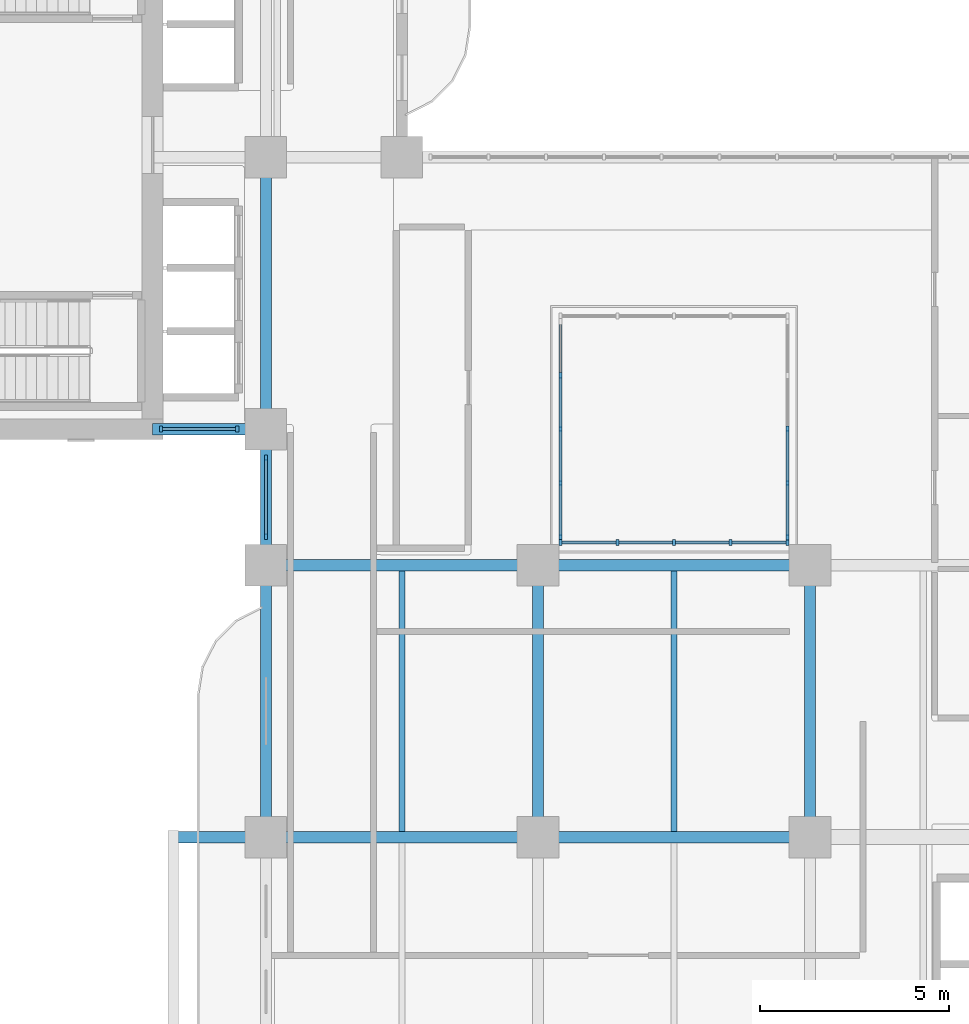
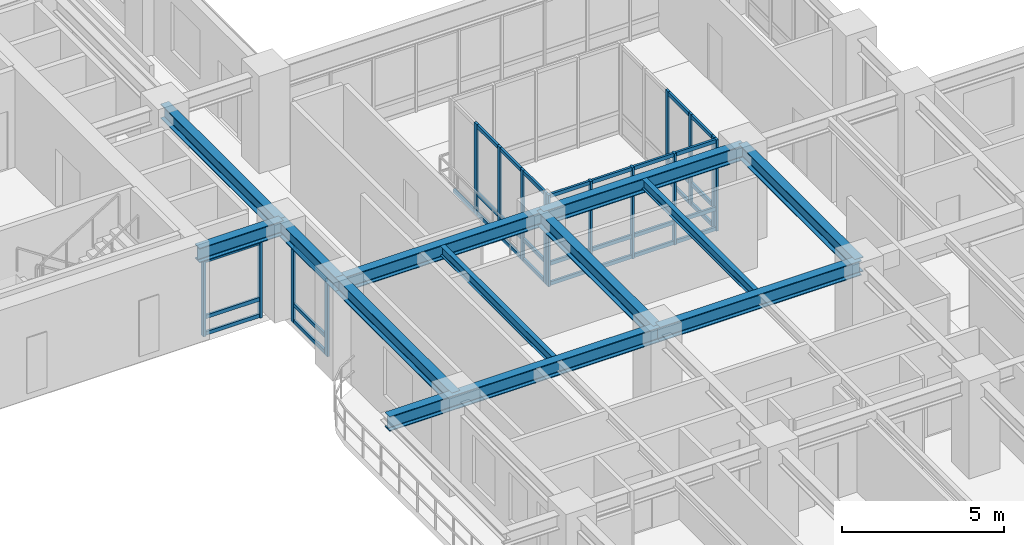
# One storey, part 2 of 22: 50 members, 12 beams, 5 elements without a shape of their own.
"""IFC4 building model written with IfcOpenShell, lengths in metres."""

from ifc_helpers import new_model, si_unit, derived_unit, direction, frame, origin, origin_2d, place, context, subcontext, project, spatial, rectangle, i_section, extrude, source, transform, mapped, material, layer, layer_set, material_profile, profile_set, type_object, type_shapes, element, aggregate, save


model = new_model("IFC4")

# Units and contexts
model_context = context("Model", 3, precision=1e-05, world=origin(), true_north=direction((0.0, 1.0)))
body_context = subcontext(model_context, "Body", "Model", "MODEL_VIEW")
ifc_project = project(units=[si_unit("LENGTHUNIT", "METRE"), si_unit("AREAUNIT", "SQUARE_METRE"), si_unit("VOLUMEUNIT", "CUBIC_METRE"), si_unit("PLANEANGLEUNIT", "RADIAN"), si_unit("MASSUNIT", "GRAM", prefix="KILO"), si_unit("THERMODYNAMICTEMPERATUREUNIT", "KELVIN"), si_unit("POWERUNIT", "WATT"), derived_unit("THERMALTRANSMITTANCEUNIT", [(si_unit("POWERUNIT", "WATT"), 1), (si_unit("AREAUNIT", "SQUARE_METRE"), -1), (si_unit("THERMODYNAMICTEMPERATUREUNIT", "KELVIN"), -1)])], contexts=[model_context])

# Site, building, storey
site_placement = place(None, origin())
site = spatial("IfcSite", under=ifc_project, at=site_placement, CompositionType="ELEMENT")
building_placement = place(site_placement, origin())
building = spatial("IfcBuilding", under=site, at=building_placement, Name="Zahravan Archway Hotel and Residences", CompositionType="ELEMENT")
storey_placement = place(building_placement, frame((0.0, 0.0, 80.5)))
storey = spatial("IfcBuildingStorey", under=building, at=storey_placement, Name="L19", CompositionType="ELEMENT", Elevation=80.5)

# Beams
ifc_material_1 = material(Name="Structural Steel S355JR", Category="steel")
ifc_material_profile_1 = material_profile(ifc_material_1, i_section(OverallWidth=0.300048828125, OverallDepth=0.550048828125, WebThickness=0.014892578125, FlangeThickness=0.029052734375, FilletRadius=0.027099609375, at=origin_2d()), Name="HEB 550", Category="steel")
ifc_profile_set_1 = profile_set([ifc_material_profile_1], Name="Structural Steel S355JR")
beam_type_1 = type_object("IfcBeamType", Name="BM-PRI-HEB550", PredefinedType="BEAM", material=ifc_profile_set_1)
shared_shape_1 = source(origin(), body_context, "Body", "SweptSolid", [
    extrude(i_section(OverallWidth=0.300048828125, OverallDepth=0.550048828125, WebThickness=0.014892578125, FlangeThickness=0.029052734375, FilletRadius=0.027099609375, at=origin_2d()), origin(), (0.0, 0.0, 1.0), 7.2001953125),
])
type_shapes(beam_type_1, [shared_shape_1])
for number, where, z_axis, x_axis, name in (
    (1, (14.39990234375, 21.60009765625, 3.175048828125), (1.0, 0.0, 0.0), (0.0, 1.0, 0.0), "L19 Primary Girder EW-14"),
    (2, (14.39990234375, 14.39990234375, 3.175048828125), (0.0, 1.0, 0.0), (-1.0, 0.0, 0.0), "L19 Primary Girder NS-34"),
    (3, (21.60009765625, 14.39990234375, 3.175048828125), (0.0, 1.0, 0.0), (-1.0, 0.0, 0.0), "L19 Primary Girder NS-41"),
    (4, (28.800048828125, 14.39990234375, 3.175048828125), (0.0, 1.0, 0.0), (-1.0, 0.0, 0.0), "L19 Primary Girder NS-44"),
):
    element("IfcBeam", number, at=place(storey_placement, frame(where, z_axis=z_axis, x_axis=x_axis)), inside=storey, type_object=beam_type_1, Name=name, PredefinedType="BEAM", context=body_context, shape_type="MappedRepresentation", body=[
        mapped(shared_shape_1, transform((0.0, 0.0, 0.0), scale=1.0)),
    ])
shared_shape_2 = source(origin(), body_context, "Body", "SweptSolid", [
    extrude(i_section(OverallWidth=0.300048828125, OverallDepth=0.550048828125, WebThickness=0.014892578125, FlangeThickness=0.029052734375, FilletRadius=0.027099609375, at=origin_2d()), origin(), (0.0, 0.0, 1.0), 7.199951171875),
])
for number, where, z_axis, x_axis, name in (
    (5, (21.60009765625, 14.39990234375, 3.175048828125), (1.0, 0.0, 0.0), (0.0, 1.0, 0.0), "L19 Primary Girder EW-12"),
    (6, (21.60009765625, 21.60009765625, 3.175048828125), (1.0, 0.0, 0.0), (0.0, 1.0, 0.0), "L19 Primary Girder EW-15"),
    (7, (14.39990234375, 25.199951171875, 3.175048828125), (0.0, 1.0, 0.0), (-1.0, 0.0, 0.0), "L19 Primary Girder NS-36"),
):
    element("IfcBeam", number, at=place(storey_placement, frame(where, z_axis=z_axis, x_axis=x_axis)), inside=storey, type_object=beam_type_1, Name=name, PredefinedType="BEAM", context=body_context, shape_type="MappedRepresentation", body=[
        mapped(shared_shape_2, transform((0.0, 0.0, 0.0), scale=1.0)),
    ])
shared_shape_3 = source(origin(), body_context, "Body", "SweptSolid", [
    extrude(i_section(OverallWidth=0.300048828125, OverallDepth=0.550048828125, WebThickness=0.014892578125, FlangeThickness=0.029052734375, FilletRadius=0.027099609375, at=origin_2d()), origin(), (0.0, 0.0, 1.0), 3.0),
])
beam_1_placement = place(storey_placement, frame((11.39990234375, 25.199951171875, 3.175048828125), z_axis=(1.0, 0.0, 0.0), x_axis=(0.0, 1.0, 0.0)))
element("IfcBeam", 8, at=beam_1_placement, inside=storey, type_object=beam_type_1, Name="L19 Primary Girder EW-20", PredefinedType="BEAM", context=body_context, shape_type="MappedRepresentation", body=[
    mapped(shared_shape_3, transform((0.0, 0.0, 0.0), scale=1.0)),
])
shared_shape_4 = source(origin(), body_context, "Body", "SweptSolid", [
    extrude(i_section(OverallWidth=0.300048828125, OverallDepth=0.550048828125, WebThickness=0.014892578125, FlangeThickness=0.029052734375, FilletRadius=0.027099609375, at=origin_2d()), origin(), (0.0, 0.0, 1.0), 3.599853515625),
])
beam_2_placement = place(storey_placement, frame((14.39990234375, 21.60009765625, 3.175048828125), z_axis=(0.0, 1.0, 0.0), x_axis=(-1.0, 0.0, 0.0)))
element("IfcBeam", 9, at=beam_2_placement, inside=storey, type_object=beam_type_1, Name="L19 Primary Girder NS-35", PredefinedType="BEAM", context=body_context, shape_type="MappedRepresentation", body=[
    mapped(shared_shape_4, transform((0.0, 0.0, 0.0), scale=1.0)),
])
shared_shape_5 = source(origin(), body_context, "Body", "SweptSolid", [
    extrude(i_section(OverallWidth=0.300048828125, OverallDepth=0.550048828125, WebThickness=0.014892578125, FlangeThickness=0.029052734375, FilletRadius=0.027099609375, at=origin_2d()), origin(), (0.0, 0.0, 1.0), 9.650146484375),
])
beam_3_placement = place(storey_placement, frame((11.949951171875, 14.39990234375, 3.175048828125), z_axis=(1.0, 0.0, 0.0), x_axis=(0.0, 1.0, 0.0)))
element("IfcBeam", 10, at=beam_3_placement, inside=storey, type_object=beam_type_1, Name="L19 Primary Girder EW-11", PredefinedType="BEAM", context=body_context, shape_type="MappedRepresentation", body=[
    mapped(shared_shape_5, transform((0.0, 0.0, 0.0), scale=1.0)),
])
ifc_material_profile_2 = material_profile(ifc_material_1, i_section(OverallWidth=0.169921875, OverallDepth=0.360107421875, WebThickness=0.008056640625, FlangeThickness=0.0126953125, FilletRadius=0.01806640625, at=origin_2d()), Name="IPE 360", Category="steel")
ifc_profile_set_2 = profile_set([ifc_material_profile_2], Name="Structural Steel S355JR")
beam_type_2 = type_object("IfcBeamType", Name="BM-JST-IPE360", PredefinedType="JOIST", material=ifc_profile_set_2)
shared_shape_6 = source(origin(), body_context, "Body", "SweptSolid", [
    extrude(i_section(OverallWidth=0.169921875, OverallDepth=0.360107421875, WebThickness=0.008056640625, FlangeThickness=0.0126953125, FilletRadius=0.01806640625, at=origin_2d()), origin(), (0.0, 0.0, 1.0), 6.90380859375),
])
for number, where, z_axis, x_axis, name in (
    (11, (18.0, 14.548095703125, 3.27001953125), (0.0, 1.0, 0.0), (-1.0, 0.0, 0.0), "L19 Composite Floor Joist 10"),
    (12, (25.199951171875, 14.548095703125, 3.27001953125), (0.0, 1.0, 0.0), (-1.0, 0.0, 0.0), "L19 Composite Floor Joist 11"),
):
    element("IfcBeam", number, at=place(storey_placement, frame(where, z_axis=z_axis, x_axis=x_axis)), inside=storey, type_object=beam_type_2, Name=name, PredefinedType="JOIST", context=body_context, shape_type="MappedRepresentation", body=[
        mapped(shared_shape_6, transform((0.0, 0.0, 0.0), scale=1.0)),
    ])

# Curtain wall, members
ifc_material_2 = material(Name="Bronze-Anodized Unitised Aluminium & Low-E Glass", Category="aluminium")
ifc_layer = layer(ifc_material_2, 0.179931640625, Name="Bronze-Anodized Unitised Aluminium & Low-E Glass", Category="aluminium")
ifc_layer_set = layer_set([ifc_layer], Name="Bronze-Anodized Unitised Aluminium & Low-E Glass")
curtain_wall_type = type_object("IfcCurtainWallType", Name="CW-ATR-GLAZ", PredefinedType="NOTDEFINED", material=ifc_layer_set)
curtain_wall_1_placement = place(storey_placement, origin())
curtain_wall_1 = element("IfcCurtainWall", 13, at=curtain_wall_1_placement, inside=storey, type_object=curtain_wall_type, Name="L19 Curtain Wall CW-L19-WA-WLU-1", PredefinedType="NOTDEFINED")
ifc_material_3 = material(Name="Bronze-Anodized Extruded Aluminium", Category="aluminium")
ifc_material_profile_3 = material_profile(ifc_material_3, rectangle(XDim=0.080078125, YDim=0.159912109375, at=origin_2d()), Name="MUL 80x160", Category="aluminium")
ifc_profile_set_3 = profile_set([ifc_material_profile_3], Name="Bronze-Anodized Extruded Aluminium")
member_type_1 = type_object("IfcMemberType", Name="CWM-MUL-160", PredefinedType="MULLION", material=ifc_profile_set_3)
shared_shape_7 = source(origin(), body_context, "Body", "SweptSolid", [
    extrude(rectangle(XDim=0.080078125, YDim=0.159912109375, at=origin_2d()), origin(), (0.0, 0.0, 1.0), 2.885009765625),
])
member_1_placement = place(storey_placement, frame((14.39990234375, 22.360107421875, 0.0), z_axis=(0.0, 0.0, 1.0), x_axis=(1.0, 0.0, 0.0)))
member_1 = element("IfcMember", 14, at=member_1_placement, type_object=member_type_1, Name="CW-L19-WA-WLU-1 Mullion 0", PredefinedType="MULLION", context=body_context, shape_type="MappedRepresentation", body=[
    mapped(shared_shape_7, transform((0.0, 0.0, 0.0), scale=1.0)),
])
member_2_placement = place(storey_placement, frame((14.39990234375, 24.43994140625, 0.0), z_axis=(0.0, 0.0, 1.0), x_axis=(1.0, 0.0, 0.0)))
member_2 = element("IfcMember", 15, at=member_2_placement, type_object=member_type_1, Name="CW-L19-WA-WLU-1 Mullion 1", PredefinedType="MULLION", context=body_context, shape_type="MappedRepresentation", body=[
    mapped(shared_shape_7, transform((0.0, 0.0, 0.0), scale=1.0)),
])

curtain_wall_2_placement = place(storey_placement, origin())
curtain_wall_2 = element("IfcCurtainWall", 16, at=curtain_wall_2_placement, inside=storey, type_object=curtain_wall_type, Name="L19 Curtain Wall CW-L19-WB-SE-1", PredefinedType="NOTDEFINED")
member_3_placement = place(storey_placement, frame((11.6201171875, 25.199951171875, 0.0), z_axis=(0.0, 0.0, 1.0), x_axis=(1.0, 0.0, 0.0)))
member_3 = element("IfcMember", 17, at=member_3_placement, type_object=member_type_1, Name="CW-L19-WB-SE-1 Mullion 0", PredefinedType="MULLION", context=body_context, shape_type="MappedRepresentation", body=[
    mapped(shared_shape_7, transform((0.0, 0.0, 0.0), scale=1.0)),
])
member_4_placement = place(storey_placement, frame((13.639892578125, 25.199951171875, 0.0), z_axis=(0.0, 0.0, 1.0), x_axis=(1.0, 0.0, 0.0)))
member_4 = element("IfcMember", 18, at=member_4_placement, type_object=member_type_1, Name="CW-L19-WB-SE-1 Mullion 1", PredefinedType="MULLION", context=body_context, shape_type="MappedRepresentation", body=[
    mapped(shared_shape_7, transform((0.0, 0.0, 0.0), scale=1.0)),
])
ifc_material_profile_4 = material_profile(ifc_material_3, rectangle(XDim=0.080078125, YDim=0.139892578125, at=origin_2d()), Name="TRN 80x140", Category="aluminium")
ifc_profile_set_4 = profile_set([ifc_material_profile_4], Name="Bronze-Anodized Extruded Aluminium")
member_type_2 = type_object("IfcMemberType", Name="CWM-TRN-140", PredefinedType="USERDEFINED", material=ifc_profile_set_4)
shared_shape_8 = source(origin(), body_context, "Body", "SweptSolid", [
    extrude(rectangle(XDim=0.080078125, YDim=0.139892578125, at=origin_2d()), origin(), (0.0, 0.0, 1.0), 1.940185546875),
])
member_5_placement = place(storey_placement, frame((11.659912109375, 25.199951171875, 0.070068359375), z_axis=(1.0, 0.0, 0.0), x_axis=(0.0, 1.0, 0.0)))
member_5 = element("IfcMember", 19, at=member_5_placement, type_object=member_type_2, Name="CW-L19-WB-SE-1 Transom 0-1", ObjectType="TRANSOM", PredefinedType="USERDEFINED", context=body_context, shape_type="MappedRepresentation", body=[
    mapped(shared_shape_8, transform((0.0, 0.0, 0.0), scale=1.0)),
])
member_6_placement = place(storey_placement, frame((11.659912109375, 25.199951171875, 0.6923828125), z_axis=(1.0, 0.0, 0.0), x_axis=(0.0, 1.0, 0.0)))
member_6 = element("IfcMember", 20, at=member_6_placement, type_object=member_type_2, Name="CW-L19-WB-SE-1 Transom 0-2", ObjectType="TRANSOM", PredefinedType="USERDEFINED", context=body_context, shape_type="MappedRepresentation", body=[
    mapped(shared_shape_8, transform((0.0, 0.0, 0.0), scale=1.0)),
])
member_7_placement = place(storey_placement, frame((11.659912109375, 25.199951171875, 2.81494140625), z_axis=(1.0, 0.0, 0.0), x_axis=(0.0, 1.0, 0.0)))
member_7 = element("IfcMember", 21, at=member_7_placement, type_object=member_type_2, Name="CW-L19-WB-SE-1 Transom 0-3", ObjectType="TRANSOM", PredefinedType="USERDEFINED", context=body_context, shape_type="MappedRepresentation", body=[
    mapped(shared_shape_8, transform((0.0, 0.0, 0.0), scale=1.0)),
])
aggregate(curtain_wall_2, [member_3, member_4, member_5, member_6, member_7])

# Member
shared_shape_9 = source(origin(), body_context, "Body", "SweptSolid", [
    extrude(rectangle(XDim=0.080078125, YDim=0.139892578125, at=origin_2d()), origin(), (0.0, 0.0, 1.0), 2.0),
])
member_8_placement = place(storey_placement, frame((14.39990234375, 22.39990234375, 0.070068359375), z_axis=(0.0, 1.0, 0.0), x_axis=(-1.0, 0.0, 0.0)))
member_8 = element("IfcMember", 22, at=member_8_placement, type_object=member_type_2, Name="CW-L19-WA-WLU-1 Transom 0-1", ObjectType="TRANSOM", PredefinedType="USERDEFINED", context=body_context, shape_type="MappedRepresentation", body=[
    mapped(shared_shape_9, transform((0.0, 0.0, 0.0), scale=1.0)),
])

member_9_placement = place(storey_placement, frame((14.39990234375, 22.39990234375, 0.6923828125), z_axis=(0.0, 1.0, 0.0), x_axis=(-1.0, 0.0, 0.0)))
member_9 = element("IfcMember", 23, at=member_9_placement, type_object=member_type_2, Name="CW-L19-WA-WLU-1 Transom 0-2", ObjectType="TRANSOM", PredefinedType="USERDEFINED", context=body_context, shape_type="MappedRepresentation", body=[
    mapped(shared_shape_9, transform((0.0, 0.0, 0.0), scale=1.0)),
])

member_10_placement = place(storey_placement, frame((14.39990234375, 22.39990234375, 2.81494140625), z_axis=(0.0, 1.0, 0.0), x_axis=(-1.0, 0.0, 0.0)))
member_10 = element("IfcMember", 24, at=member_10_placement, type_object=member_type_2, Name="CW-L19-WA-WLU-1 Transom 0-3", ObjectType="TRANSOM", PredefinedType="USERDEFINED", context=body_context, shape_type="MappedRepresentation", body=[
    mapped(shared_shape_9, transform((0.0, 0.0, 0.0), scale=1.0)),
])

aggregate(curtain_wall_1, [member_1, member_2, member_8, member_9, member_10])

# Curtain wall, members
curtain_wall_3_placement = place(storey_placement, origin())
curtain_wall_3 = element("IfcCurtainWall", 25, at=curtain_wall_3_placement, inside=storey, type_object=curtain_wall_type, Name="L19 Curtain Wall CW-ATR-L19-S-1", PredefinedType="NOTDEFINED")
shared_shape_10 = source(origin(), body_context, "Body", "SweptSolid", [
    extrude(rectangle(XDim=0.080078125, YDim=0.159912109375, at=origin_2d()), origin(), (0.0, 0.0, 1.0), 3.449951171875),
])
member_11_placement = place(storey_placement, frame((22.199951171875, 22.199951171875, 0.0), z_axis=(0.0, 0.0, 1.0), x_axis=(1.0, 0.0, 0.0)))
member_11 = element("IfcMember", 26, at=member_11_placement, type_object=member_type_1, Name="CW-ATR-L19-S-1 Mullion 0", PredefinedType="MULLION", context=body_context, shape_type="MappedRepresentation", body=[
    mapped(shared_shape_10, transform((0.0, 0.0, 0.0), scale=1.0)),
])
member_12_placement = place(storey_placement, frame((23.699951171875, 22.199951171875, 0.0), z_axis=(0.0, 0.0, 1.0), x_axis=(1.0, 0.0, 0.0)))
member_12 = element("IfcMember", 27, at=member_12_placement, type_object=member_type_1, Name="CW-ATR-L19-S-1 Mullion 1", PredefinedType="MULLION", context=body_context, shape_type="MappedRepresentation", body=[
    mapped(shared_shape_10, transform((0.0, 0.0, 0.0), scale=1.0)),
])
member_13_placement = place(storey_placement, frame((25.199951171875, 22.199951171875, 0.0), z_axis=(0.0, 0.0, 1.0), x_axis=(1.0, 0.0, 0.0)))
member_13 = element("IfcMember", 28, at=member_13_placement, type_object=member_type_1, Name="CW-ATR-L19-S-1 Mullion 2", PredefinedType="MULLION", context=body_context, shape_type="MappedRepresentation", body=[
    mapped(shared_shape_10, transform((0.0, 0.0, 0.0), scale=1.0)),
])
member_14_placement = place(storey_placement, frame((26.699951171875, 22.199951171875, 0.0), z_axis=(0.0, 0.0, 1.0), x_axis=(1.0, 0.0, 0.0)))
member_14 = element("IfcMember", 29, at=member_14_placement, type_object=member_type_1, Name="CW-ATR-L19-S-1 Mullion 3", PredefinedType="MULLION", context=body_context, shape_type="MappedRepresentation", body=[
    mapped(shared_shape_10, transform((0.0, 0.0, 0.0), scale=1.0)),
])
member_15_placement = place(storey_placement, frame((28.199951171875, 22.199951171875, 0.0), z_axis=(0.0, 0.0, 1.0), x_axis=(1.0, 0.0, 0.0)))
member_15 = element("IfcMember", 30, at=member_15_placement, type_object=member_type_1, Name="CW-ATR-L19-S-1 Mullion 4", PredefinedType="MULLION", context=body_context, shape_type="MappedRepresentation", body=[
    mapped(shared_shape_10, transform((0.0, 0.0, 0.0), scale=1.0)),
])

curtain_wall_4_placement = place(storey_placement, origin())
curtain_wall_4 = element("IfcCurtainWall", 31, at=curtain_wall_4_placement, inside=storey, type_object=curtain_wall_type, Name="L19 Curtain Wall CW-ATR-L19-W-1", PredefinedType="NOTDEFINED")
member_16_placement = place(storey_placement, frame((22.199951171875, 22.35009765625, 0.0), z_axis=(0.0, 0.0, 1.0), x_axis=(1.0, 0.0, 0.0)))
member_16 = element("IfcMember", 32, at=member_16_placement, type_object=member_type_1, Name="CW-ATR-L19-W-1 Mullion 0", PredefinedType="MULLION", context=body_context, shape_type="MappedRepresentation", body=[
    mapped(shared_shape_10, transform((0.0, 0.0, 0.0), scale=1.0)),
])
member_17_placement = place(storey_placement, frame((22.199951171875, 23.77490234375, 0.0), z_axis=(0.0, 0.0, 1.0), x_axis=(1.0, 0.0, 0.0)))
member_17 = element("IfcMember", 33, at=member_17_placement, type_object=member_type_1, Name="CW-ATR-L19-W-1 Mullion 1", PredefinedType="MULLION", context=body_context, shape_type="MappedRepresentation", body=[
    mapped(shared_shape_10, transform((0.0, 0.0, 0.0), scale=1.0)),
])
member_18_placement = place(storey_placement, frame((22.199951171875, 25.199951171875, 0.0), z_axis=(0.0, 0.0, 1.0), x_axis=(1.0, 0.0, 0.0)))
member_18 = element("IfcMember", 34, at=member_18_placement, type_object=member_type_1, Name="CW-ATR-L19-W-1 Mullion 2", PredefinedType="MULLION", context=body_context, shape_type="MappedRepresentation", body=[
    mapped(shared_shape_10, transform((0.0, 0.0, 0.0), scale=1.0)),
])
member_19_placement = place(storey_placement, frame((22.199951171875, 26.625, 0.0), z_axis=(0.0, 0.0, 1.0), x_axis=(1.0, 0.0, 0.0)))
member_19 = element("IfcMember", 35, at=member_19_placement, type_object=member_type_1, Name="CW-ATR-L19-W-1 Mullion 3", PredefinedType="MULLION", context=body_context, shape_type="MappedRepresentation", body=[
    mapped(shared_shape_10, transform((0.0, 0.0, 0.0), scale=1.0)),
])

curtain_wall_5_placement = place(storey_placement, origin())
curtain_wall_5 = element("IfcCurtainWall", 36, at=curtain_wall_5_placement, inside=storey, type_object=curtain_wall_type, Name="L19 Curtain Wall CW-ATR-L19-E-1", PredefinedType="NOTDEFINED")
member_20_placement = place(storey_placement, frame((28.199951171875, 22.35009765625, 0.0), z_axis=(0.0, 0.0, 1.0), x_axis=(1.0, 0.0, 0.0)))
member_20 = element("IfcMember", 37, at=member_20_placement, type_object=member_type_1, Name="CW-ATR-L19-E-1 Mullion 0", PredefinedType="MULLION", context=body_context, shape_type="MappedRepresentation", body=[
    mapped(shared_shape_10, transform((0.0, 0.0, 0.0), scale=1.0)),
])
member_21_placement = place(storey_placement, frame((28.199951171875, 23.77490234375, 0.0), z_axis=(0.0, 0.0, 1.0), x_axis=(1.0, 0.0, 0.0)))
member_21 = element("IfcMember", 38, at=member_21_placement, type_object=member_type_1, Name="CW-ATR-L19-E-1 Mullion 1", PredefinedType="MULLION", context=body_context, shape_type="MappedRepresentation", body=[
    mapped(shared_shape_10, transform((0.0, 0.0, 0.0), scale=1.0)),
])
member_22_placement = place(storey_placement, frame((28.199951171875, 25.199951171875, 0.0), z_axis=(0.0, 0.0, 1.0), x_axis=(1.0, 0.0, 0.0)))
member_22 = element("IfcMember", 39, at=member_22_placement, type_object=member_type_1, Name="CW-ATR-L19-E-1 Mullion 2", PredefinedType="MULLION", context=body_context, shape_type="MappedRepresentation", body=[
    mapped(shared_shape_10, transform((0.0, 0.0, 0.0), scale=1.0)),
])

# Member
shared_shape_11 = source(origin(), body_context, "Body", "SweptSolid", [
    extrude(rectangle(XDim=0.080078125, YDim=0.139892578125, at=origin_2d()), origin(), (0.0, 0.0, 1.0), 1.419921875),
])
member_23_placement = place(storey_placement, frame((22.239990234375, 22.199951171875, 0.070068359375), z_axis=(1.0, 0.0, 0.0), x_axis=(0.0, 1.0, 0.0)))
member_23 = element("IfcMember", 40, at=member_23_placement, type_object=member_type_2, Name="CW-ATR-L19-S-1 Transom 0-1", ObjectType="TRANSOM", PredefinedType="USERDEFINED", context=body_context, shape_type="MappedRepresentation", body=[
    mapped(shared_shape_11, transform((0.0, 0.0, 0.0), scale=1.0)),
])

member_24_placement = place(storey_placement, frame((22.239990234375, 22.199951171875, 0.827880859375), z_axis=(1.0, 0.0, 0.0), x_axis=(0.0, 1.0, 0.0)))
member_24 = element("IfcMember", 41, at=member_24_placement, type_object=member_type_2, Name="CW-ATR-L19-S-1 Transom 0-2", ObjectType="TRANSOM", PredefinedType="USERDEFINED", context=body_context, shape_type="MappedRepresentation", body=[
    mapped(shared_shape_11, transform((0.0, 0.0, 0.0), scale=1.0)),
])

member_25_placement = place(storey_placement, frame((22.239990234375, 22.199951171875, 3.3798828125), z_axis=(1.0, 0.0, 0.0), x_axis=(0.0, 1.0, 0.0)))
member_25 = element("IfcMember", 42, at=member_25_placement, type_object=member_type_2, Name="CW-ATR-L19-S-1 Transom 0-3", ObjectType="TRANSOM", PredefinedType="USERDEFINED", context=body_context, shape_type="MappedRepresentation", body=[
    mapped(shared_shape_11, transform((0.0, 0.0, 0.0), scale=1.0)),
])

member_26_placement = place(storey_placement, frame((23.739990234375, 22.199951171875, 0.070068359375), z_axis=(1.0, 0.0, 0.0), x_axis=(0.0, 1.0, 0.0)))
member_26 = element("IfcMember", 43, at=member_26_placement, type_object=member_type_2, Name="CW-ATR-L19-S-1 Transom 1-1", ObjectType="TRANSOM", PredefinedType="USERDEFINED", context=body_context, shape_type="MappedRepresentation", body=[
    mapped(shared_shape_11, transform((0.0, 0.0, 0.0), scale=1.0)),
])

member_27_placement = place(storey_placement, frame((23.739990234375, 22.199951171875, 0.827880859375), z_axis=(1.0, 0.0, 0.0), x_axis=(0.0, 1.0, 0.0)))
member_27 = element("IfcMember", 44, at=member_27_placement, type_object=member_type_2, Name="CW-ATR-L19-S-1 Transom 1-2", ObjectType="TRANSOM", PredefinedType="USERDEFINED", context=body_context, shape_type="MappedRepresentation", body=[
    mapped(shared_shape_11, transform((0.0, 0.0, 0.0), scale=1.0)),
])

member_28_placement = place(storey_placement, frame((23.739990234375, 22.199951171875, 3.3798828125), z_axis=(1.0, 0.0, 0.0), x_axis=(0.0, 1.0, 0.0)))
member_28 = element("IfcMember", 45, at=member_28_placement, type_object=member_type_2, Name="CW-ATR-L19-S-1 Transom 1-3", ObjectType="TRANSOM", PredefinedType="USERDEFINED", context=body_context, shape_type="MappedRepresentation", body=[
    mapped(shared_shape_11, transform((0.0, 0.0, 0.0), scale=1.0)),
])

member_29_placement = place(storey_placement, frame((25.239990234375, 22.199951171875, 0.070068359375), z_axis=(1.0, 0.0, 0.0), x_axis=(0.0, 1.0, 0.0)))
member_29 = element("IfcMember", 46, at=member_29_placement, type_object=member_type_2, Name="CW-ATR-L19-S-1 Transom 2-1", ObjectType="TRANSOM", PredefinedType="USERDEFINED", context=body_context, shape_type="MappedRepresentation", body=[
    mapped(shared_shape_11, transform((0.0, 0.0, 0.0), scale=1.0)),
])

member_30_placement = place(storey_placement, frame((25.239990234375, 22.199951171875, 0.827880859375), z_axis=(1.0, 0.0, 0.0), x_axis=(0.0, 1.0, 0.0)))
member_30 = element("IfcMember", 47, at=member_30_placement, type_object=member_type_2, Name="CW-ATR-L19-S-1 Transom 2-2", ObjectType="TRANSOM", PredefinedType="USERDEFINED", context=body_context, shape_type="MappedRepresentation", body=[
    mapped(shared_shape_11, transform((0.0, 0.0, 0.0), scale=1.0)),
])

member_31_placement = place(storey_placement, frame((25.239990234375, 22.199951171875, 3.3798828125), z_axis=(1.0, 0.0, 0.0), x_axis=(0.0, 1.0, 0.0)))
member_31 = element("IfcMember", 48, at=member_31_placement, type_object=member_type_2, Name="CW-ATR-L19-S-1 Transom 2-3", ObjectType="TRANSOM", PredefinedType="USERDEFINED", context=body_context, shape_type="MappedRepresentation", body=[
    mapped(shared_shape_11, transform((0.0, 0.0, 0.0), scale=1.0)),
])

member_32_placement = place(storey_placement, frame((26.739990234375, 22.199951171875, 0.070068359375), z_axis=(1.0, 0.0, 0.0), x_axis=(0.0, 1.0, 0.0)))
member_32 = element("IfcMember", 49, at=member_32_placement, type_object=member_type_2, Name="CW-ATR-L19-S-1 Transom 3-1", ObjectType="TRANSOM", PredefinedType="USERDEFINED", context=body_context, shape_type="MappedRepresentation", body=[
    mapped(shared_shape_11, transform((0.0, 0.0, 0.0), scale=1.0)),
])

member_33_placement = place(storey_placement, frame((26.739990234375, 22.199951171875, 0.827880859375), z_axis=(1.0, 0.0, 0.0), x_axis=(0.0, 1.0, 0.0)))
member_33 = element("IfcMember", 50, at=member_33_placement, type_object=member_type_2, Name="CW-ATR-L19-S-1 Transom 3-2", ObjectType="TRANSOM", PredefinedType="USERDEFINED", context=body_context, shape_type="MappedRepresentation", body=[
    mapped(shared_shape_11, transform((0.0, 0.0, 0.0), scale=1.0)),
])

member_34_placement = place(storey_placement, frame((26.739990234375, 22.199951171875, 3.3798828125), z_axis=(1.0, 0.0, 0.0), x_axis=(0.0, 1.0, 0.0)))
member_34 = element("IfcMember", 51, at=member_34_placement, type_object=member_type_2, Name="CW-ATR-L19-S-1 Transom 3-3", ObjectType="TRANSOM", PredefinedType="USERDEFINED", context=body_context, shape_type="MappedRepresentation", body=[
    mapped(shared_shape_11, transform((0.0, 0.0, 0.0), scale=1.0)),
])

aggregate(curtain_wall_3, [member_11, member_12, member_13, member_14, member_15, member_23, member_24, member_25, member_26, member_27, member_28, member_29, member_30, member_31, member_32, member_33, member_34])

shared_shape_12 = source(origin(), body_context, "Body", "SweptSolid", [
    extrude(rectangle(XDim=0.080078125, YDim=0.139892578125, at=origin_2d()), origin(), (0.0, 0.0, 1.0), 1.34521484375),
])
member_35_placement = place(storey_placement, frame((22.199951171875, 22.389892578125, 0.070068359375), z_axis=(0.0, 1.0, 0.0), x_axis=(-1.0, 0.0, 0.0)))
member_35 = element("IfcMember", 52, at=member_35_placement, type_object=member_type_2, Name="CW-ATR-L19-W-1 Transom 0-1", ObjectType="TRANSOM", PredefinedType="USERDEFINED", context=body_context, shape_type="MappedRepresentation", body=[
    mapped(shared_shape_12, transform((0.0, 0.0, 0.0), scale=1.0)),
])

member_36_placement = place(storey_placement, frame((22.199951171875, 22.389892578125, 0.827880859375), z_axis=(0.0, 1.0, 0.0), x_axis=(-1.0, 0.0, 0.0)))
member_36 = element("IfcMember", 53, at=member_36_placement, type_object=member_type_2, Name="CW-ATR-L19-W-1 Transom 0-2", ObjectType="TRANSOM", PredefinedType="USERDEFINED", context=body_context, shape_type="MappedRepresentation", body=[
    mapped(shared_shape_12, transform((0.0, 0.0, 0.0), scale=1.0)),
])

member_37_placement = place(storey_placement, frame((22.199951171875, 22.389892578125, 3.3798828125), z_axis=(0.0, 1.0, 0.0), x_axis=(-1.0, 0.0, 0.0)))
member_37 = element("IfcMember", 54, at=member_37_placement, type_object=member_type_2, Name="CW-ATR-L19-W-1 Transom 0-3", ObjectType="TRANSOM", PredefinedType="USERDEFINED", context=body_context, shape_type="MappedRepresentation", body=[
    mapped(shared_shape_12, transform((0.0, 0.0, 0.0), scale=1.0)),
])

member_38_placement = place(storey_placement, frame((28.199951171875, 22.389892578125, 0.070068359375), z_axis=(0.0, 1.0, 0.0), x_axis=(-1.0, 0.0, 0.0)))
member_38 = element("IfcMember", 55, at=member_38_placement, type_object=member_type_2, Name="CW-ATR-L19-E-1 Transom 0-1", ObjectType="TRANSOM", PredefinedType="USERDEFINED", context=body_context, shape_type="MappedRepresentation", body=[
    mapped(shared_shape_12, transform((0.0, 0.0, 0.0), scale=1.0)),
])

member_39_placement = place(storey_placement, frame((28.199951171875, 22.389892578125, 0.827880859375), z_axis=(0.0, 1.0, 0.0), x_axis=(-1.0, 0.0, 0.0)))
member_39 = element("IfcMember", 56, at=member_39_placement, type_object=member_type_2, Name="CW-ATR-L19-E-1 Transom 0-2", ObjectType="TRANSOM", PredefinedType="USERDEFINED", context=body_context, shape_type="MappedRepresentation", body=[
    mapped(shared_shape_12, transform((0.0, 0.0, 0.0), scale=1.0)),
])

member_40_placement = place(storey_placement, frame((28.199951171875, 22.389892578125, 3.3798828125), z_axis=(0.0, 1.0, 0.0), x_axis=(-1.0, 0.0, 0.0)))
member_40 = element("IfcMember", 57, at=member_40_placement, type_object=member_type_2, Name="CW-ATR-L19-E-1 Transom 0-3", ObjectType="TRANSOM", PredefinedType="USERDEFINED", context=body_context, shape_type="MappedRepresentation", body=[
    mapped(shared_shape_12, transform((0.0, 0.0, 0.0), scale=1.0)),
])

shared_shape_13 = source(origin(), body_context, "Body", "SweptSolid", [
    extrude(rectangle(XDim=0.080078125, YDim=0.139892578125, at=origin_2d()), origin(), (0.0, 0.0, 1.0), 1.344970703125),
])
member_41_placement = place(storey_placement, frame((22.199951171875, 23.81494140625, 0.070068359375), z_axis=(0.0, 1.0, 0.0), x_axis=(-1.0, 0.0, 0.0)))
member_41 = element("IfcMember", 58, at=member_41_placement, type_object=member_type_2, Name="CW-ATR-L19-W-1 Transom 1-1", ObjectType="TRANSOM", PredefinedType="USERDEFINED", context=body_context, shape_type="MappedRepresentation", body=[
    mapped(shared_shape_13, transform((0.0, 0.0, 0.0), scale=1.0)),
])

member_42_placement = place(storey_placement, frame((22.199951171875, 23.81494140625, 0.827880859375), z_axis=(0.0, 1.0, 0.0), x_axis=(-1.0, 0.0, 0.0)))
member_42 = element("IfcMember", 59, at=member_42_placement, type_object=member_type_2, Name="CW-ATR-L19-W-1 Transom 1-2", ObjectType="TRANSOM", PredefinedType="USERDEFINED", context=body_context, shape_type="MappedRepresentation", body=[
    mapped(shared_shape_13, transform((0.0, 0.0, 0.0), scale=1.0)),
])

member_43_placement = place(storey_placement, frame((22.199951171875, 23.81494140625, 3.3798828125), z_axis=(0.0, 1.0, 0.0), x_axis=(-1.0, 0.0, 0.0)))
member_43 = element("IfcMember", 60, at=member_43_placement, type_object=member_type_2, Name="CW-ATR-L19-W-1 Transom 1-3", ObjectType="TRANSOM", PredefinedType="USERDEFINED", context=body_context, shape_type="MappedRepresentation", body=[
    mapped(shared_shape_13, transform((0.0, 0.0, 0.0), scale=1.0)),
])

member_44_placement = place(storey_placement, frame((22.199951171875, 25.239990234375, 0.070068359375), z_axis=(0.0, 1.0, 0.0), x_axis=(-1.0, 0.0, 0.0)))
member_44 = element("IfcMember", 61, at=member_44_placement, type_object=member_type_2, Name="CW-ATR-L19-W-1 Transom 2-1", ObjectType="TRANSOM", PredefinedType="USERDEFINED", context=body_context, shape_type="MappedRepresentation", body=[
    mapped(shared_shape_13, transform((0.0, 0.0, 0.0), scale=1.0)),
])

member_45_placement = place(storey_placement, frame((22.199951171875, 25.239990234375, 0.827880859375), z_axis=(0.0, 1.0, 0.0), x_axis=(-1.0, 0.0, 0.0)))
member_45 = element("IfcMember", 62, at=member_45_placement, type_object=member_type_2, Name="CW-ATR-L19-W-1 Transom 2-2", ObjectType="TRANSOM", PredefinedType="USERDEFINED", context=body_context, shape_type="MappedRepresentation", body=[
    mapped(shared_shape_13, transform((0.0, 0.0, 0.0), scale=1.0)),
])

member_46_placement = place(storey_placement, frame((22.199951171875, 25.239990234375, 3.3798828125), z_axis=(0.0, 1.0, 0.0), x_axis=(-1.0, 0.0, 0.0)))
member_46 = element("IfcMember", 63, at=member_46_placement, type_object=member_type_2, Name="CW-ATR-L19-W-1 Transom 2-3", ObjectType="TRANSOM", PredefinedType="USERDEFINED", context=body_context, shape_type="MappedRepresentation", body=[
    mapped(shared_shape_13, transform((0.0, 0.0, 0.0), scale=1.0)),
])

member_47_placement = place(storey_placement, frame((22.199951171875, 26.6650390625, 0.070068359375), z_axis=(0.0, 1.0, 0.0), x_axis=(-1.0, 0.0, 0.0)))
member_47 = element("IfcMember", 64, at=member_47_placement, type_object=member_type_2, Name="CW-ATR-L19-W-1 Transom 3-1", ObjectType="TRANSOM", PredefinedType="USERDEFINED", context=body_context, shape_type="MappedRepresentation", body=[
    mapped(shared_shape_13, transform((0.0, 0.0, 0.0), scale=1.0)),
])

aggregate(curtain_wall_4, [member_16, member_17, member_18, member_19, member_35, member_36, member_37, member_41, member_42, member_43, member_44, member_45, member_46, member_47])

member_48_placement = place(storey_placement, frame((28.199951171875, 23.81494140625, 0.070068359375), z_axis=(0.0, 1.0, 0.0), x_axis=(-1.0, 0.0, 0.0)))
member_48 = element("IfcMember", 65, at=member_48_placement, type_object=member_type_2, Name="CW-ATR-L19-E-1 Transom 1-1", ObjectType="TRANSOM", PredefinedType="USERDEFINED", context=body_context, shape_type="MappedRepresentation", body=[
    mapped(shared_shape_13, transform((0.0, 0.0, 0.0), scale=1.0)),
])

member_49_placement = place(storey_placement, frame((28.199951171875, 23.81494140625, 0.827880859375), z_axis=(0.0, 1.0, 0.0), x_axis=(-1.0, 0.0, 0.0)))
member_49 = element("IfcMember", 66, at=member_49_placement, type_object=member_type_2, Name="CW-ATR-L19-E-1 Transom 1-2", ObjectType="TRANSOM", PredefinedType="USERDEFINED", context=body_context, shape_type="MappedRepresentation", body=[
    mapped(shared_shape_13, transform((0.0, 0.0, 0.0), scale=1.0)),
])

member_50_placement = place(storey_placement, frame((28.199951171875, 23.81494140625, 3.3798828125), z_axis=(0.0, 1.0, 0.0), x_axis=(-1.0, 0.0, 0.0)))
member_50 = element("IfcMember", 67, at=member_50_placement, type_object=member_type_2, Name="CW-ATR-L19-E-1 Transom 1-3", ObjectType="TRANSOM", PredefinedType="USERDEFINED", context=body_context, shape_type="MappedRepresentation", body=[
    mapped(shared_shape_13, transform((0.0, 0.0, 0.0), scale=1.0)),
])

aggregate(curtain_wall_5, [member_20, member_21, member_22, member_38, member_39, member_40, member_48, member_49, member_50])

save(model, "model.ifc")
